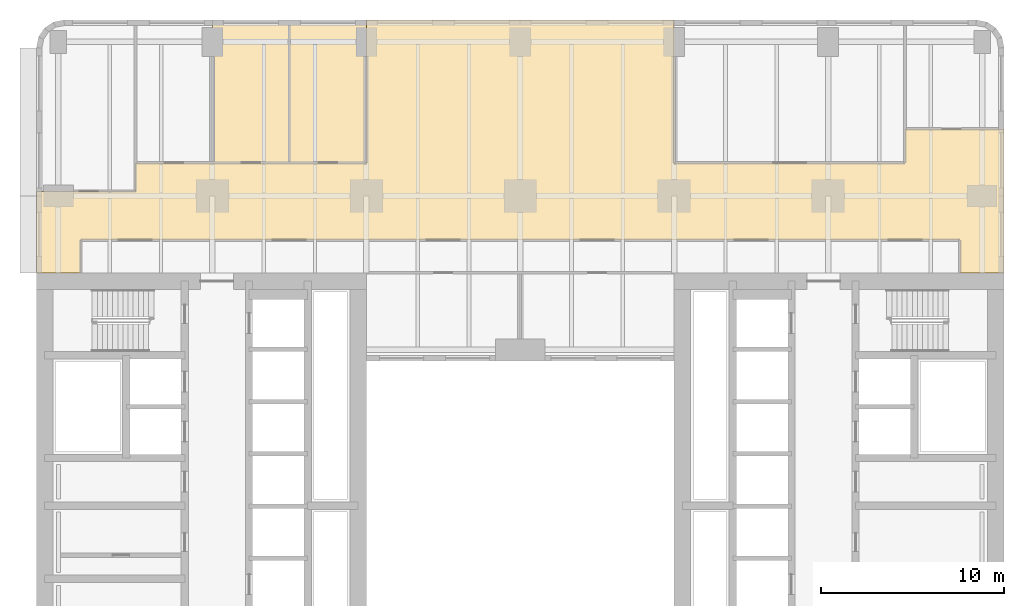
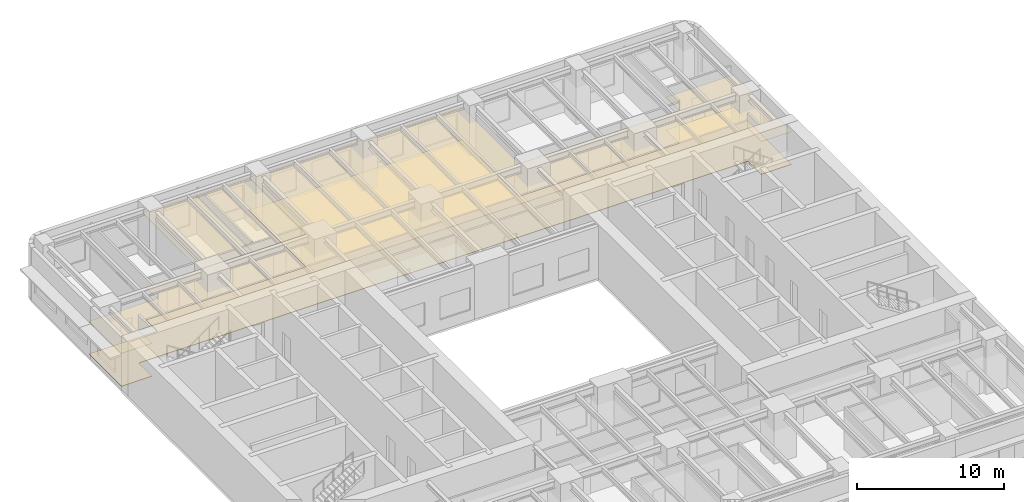
# One storey, part 13 of 14: 4 coverings.
"""IFC4 building model written with IfcOpenShell, lengths in metres."""

from ifc_helpers import new_model, si_unit, direction, frame, origin, place, context, subcontext, project, spatial, polyline, outline, extrude, material, layer, layer_set, type_object, element, save


model = new_model("IFC4")

# Units and contexts
model_context = context("Model", 3, precision=1e-05, world=origin(), true_north=direction((0.0, 1.0)))
body_context = subcontext(model_context, "Body", "Model", "MODEL_VIEW")
ifc_project = project(units=[si_unit("LENGTHUNIT", "METRE"), si_unit("AREAUNIT", "SQUARE_METRE"), si_unit("VOLUMEUNIT", "CUBIC_METRE"), si_unit("PLANEANGLEUNIT", "RADIAN"), si_unit("MASSUNIT", "GRAM", prefix="KILO")], contexts=[model_context])

# Site, building, storey
site_placement = place(None, origin())
site = spatial("IfcSite", under=ifc_project, at=site_placement, CompositionType="ELEMENT")
building_placement = place(site_placement, origin())
building = spatial("IfcBuilding", under=site, at=building_placement, Name="Claustro Exchange Tower", CompositionType="ELEMENT")
storey_placement = place(building_placement, frame((0.0, 0.0, 77.39990234375)))
storey = spatial("IfcBuildingStorey", under=building, at=storey_placement, Name="L17", CompositionType="ELEMENT", Elevation=77.39990234375)

# Coverings
ifc_material_1 = material(Name="Gypsum board ceiling", Category="gypsum board")
ifc_layer_1 = layer(ifc_material_1, 0.02490234375)
ifc_layer_set_1 = layer_set([ifc_layer_1], Name="Gypsum board ceiling")
covering_type_1 = type_object("IfcCoveringType", Name="CL2 plasterboard ceiling", PredefinedType="CEILING", material=ifc_layer_set_1)
covering_1_placement = place(storey_placement, frame((0.0, 0.0, 3.0)))
element("IfcCovering", 1, at=covering_1_placement, inside=storey, type_object=covering_type_1, Name="Ceiling CL2 L17-14", PredefinedType="CEILING", context=body_context, shape_type="SweptSolid", body=[
    extrude(outline(polyline([(-1.199951171875, 42.25), (-1.199951171875, 37.800048828125), (1.199951171875, 37.800048828125), (1.199951171875, 39.60009765625), (49.199951171875, 39.60009765625), (49.199951171875, 37.800048828125), (51.60009765625, 37.800048828125), (51.60009765625, 45.64990234375), (46.199951171875, 45.64990234375), (46.199951171875, 43.800048828125), (33.60009765625, 43.800048828125), (33.60009765625, 51.60009765625), (16.800048828125, 51.60009765625), (16.800048828125, 43.800048828125), (12.60009765625, 43.800048828125), (8.39990234375, 43.800048828125), (4.199951171875, 43.800048828125), (4.199951171875, 42.25), (-1.199951171875, 42.25)])), origin(), (0.0, 0.0, 1.0), 0.025146484375),
])
covering_2_placement = place(storey_placement, frame((0.0, 0.0, 3.0)))
element("IfcCovering", 2, at=covering_2_placement, inside=storey, type_object=covering_type_1, Name="Ceiling CL2 L17-17", PredefinedType="CEILING", context=body_context, shape_type="SweptSolid", body=[
    extrude(outline(polyline([(12.60009765625, 51.60009765625), (8.39990234375, 51.60009765625), (8.39990234375, 43.800048828125), (12.60009765625, 43.800048828125), (12.60009765625, 51.60009765625)])), origin(), (0.0, 0.0, 1.0), 0.025146484375),
])
covering_3_placement = place(storey_placement, frame((0.0, 0.0, 3.0)))
element("IfcCovering", 3, at=covering_3_placement, inside=storey, type_object=covering_type_1, Name="Ceiling CL2 L17-18", PredefinedType="CEILING", context=body_context, shape_type="SweptSolid", body=[
    extrude(outline(polyline([(16.800048828125, 51.60009765625), (12.60009765625, 51.60009765625), (12.60009765625, 43.800048828125), (16.800048828125, 43.800048828125), (16.800048828125, 51.60009765625)])), origin(), (0.0, 0.0, 1.0), 0.025146484375),
])
ifc_material_2 = material(Name="Steel-encased raised floor panels on pedestals", Category="steel")
ifc_layer_2 = layer(ifc_material_2, 0.0400390625)
ifc_layer_set_2 = layer_set([ifc_layer_2], Name="Steel-encased raised floor panels on pedestals")
covering_type_2 = type_object("IfcCoveringType", Name="RF1 300 raised access floor", PredefinedType="FLOORING", material=ifc_layer_set_2)
covering_4_placement = place(storey_placement, frame((0.0, 0.0, 0.260009765625)))
element("IfcCovering", 4, at=covering_4_placement, inside=storey, type_object=covering_type_2, Name="Raised access floor RF1 L17-14", PredefinedType="FLOORING", context=body_context, shape_type="SweptSolid", body=[
    extrude(outline(polyline([(-1.199951171875, 42.25), (-1.199951171875, 37.800048828125), (1.199951171875, 37.800048828125), (1.199951171875, 39.60009765625), (49.199951171875, 39.60009765625), (49.199951171875, 37.800048828125), (51.60009765625, 37.800048828125), (51.60009765625, 45.64990234375), (46.199951171875, 45.64990234375), (46.199951171875, 43.800048828125), (33.60009765625, 43.800048828125), (33.60009765625, 51.60009765625), (16.800048828125, 51.60009765625), (16.800048828125, 43.800048828125), (12.60009765625, 43.800048828125), (8.39990234375, 43.800048828125), (4.199951171875, 43.800048828125), (4.199951171875, 42.25), (-1.199951171875, 42.25)])), origin(), (0.0, 0.0, 1.0), 0.0400390625),
])

save(model, "model.ifc")
